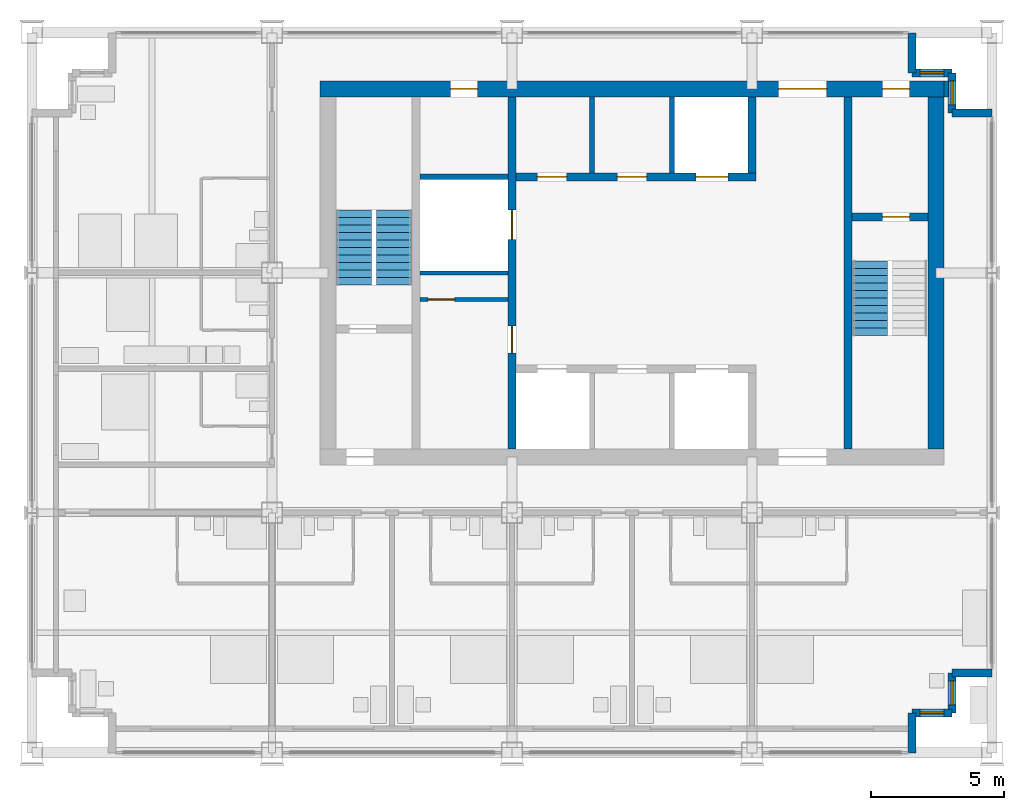
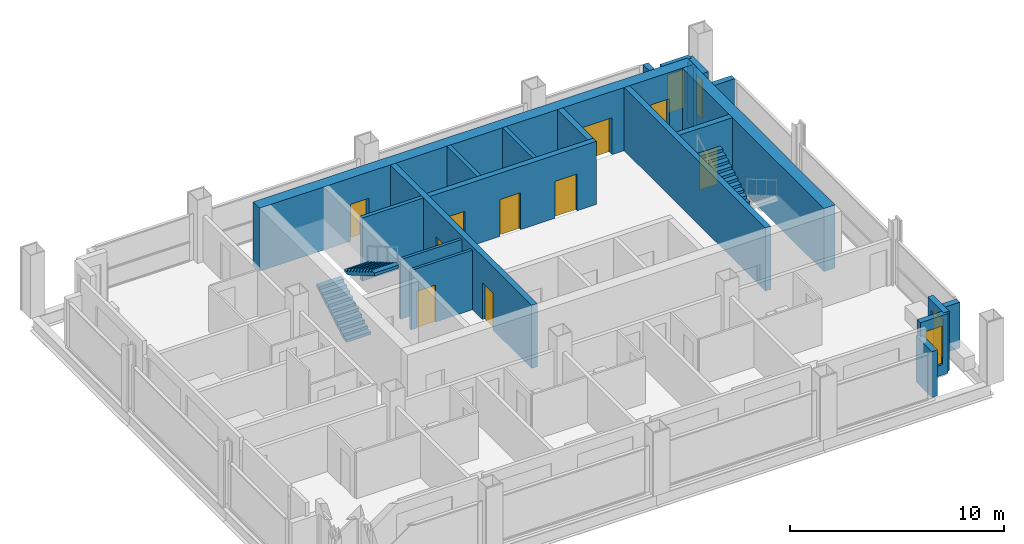
# One storey, part 8 of 12: 21 walls, 10 doors, 4 windows, 3 stair flights, 14 openings, 2 elements without a shape of their own.
"""IFC4 building model written with IfcOpenShell, lengths in metres."""

from ifc_helpers import new_model, si_unit, direction, frame, frame_2d, origin, place, context, subcontext, project, spatial, polyline, rectangle, outline, extrude, material, layer, layer_set, type_object, element, fill, aggregate, save


model = new_model("IFC4")

# Units and contexts
model_context = context("Model", 3, precision=1e-05, world=origin(), true_north=direction((0.0, 1.0)))
body_context = subcontext(model_context, "Body", "Model", "MODEL_VIEW")
ifc_project = project(units=[si_unit("LENGTHUNIT", "METRE"), si_unit("AREAUNIT", "SQUARE_METRE"), si_unit("VOLUMEUNIT", "CUBIC_METRE"), si_unit("PLANEANGLEUNIT", "RADIAN"), si_unit("MASSUNIT", "GRAM", prefix="KILO")], contexts=[model_context])

# Site, building, storey
site_placement = place(None, origin())
site = spatial("IfcSite", under=ifc_project, at=site_placement, CompositionType="ELEMENT")
building_placement = place(site_placement, origin())
building = spatial("IfcBuilding", under=site, at=building_placement, Name="Loomwork Tower", CompositionType="ELEMENT")
storey_placement = place(building_placement, frame((0.0, 0.0, 259.0)))
storey = spatial("IfcBuildingStorey", under=building, at=storey_placement, Name="L71", CompositionType="ELEMENT", Elevation=259.0)

# Wall, openings, doors
ifc_material_1 = material(Name="Concrete 14000 psi (97 MPa)", Category="concrete")
ifc_layer_1 = layer(ifc_material_1, 0.300048828125)
ifc_layer_set_1 = layer_set([ifc_layer_1], Name="Core shear wall 300")
wall_type_1 = type_object("IfcWallType", Name="Core shear wall 300", PredefinedType="SHEAR", material=ifc_layer_set_1)
wall_1_placement = place(storey_placement, frame((18.0, 11.39990234375, 0.0), z_axis=(0.0, 0.0, 1.0), x_axis=(0.0, 1.0, 0.0)))
wall_1 = element("IfcWall", 1, at=wall_1_placement, inside=storey, type_object=wall_type_1, Name="Lobby west wall L71", PredefinedType="SHEAR", context=body_context, shape_type="SweptSolid", body=[
    extrude(rectangle(XDim=13.2001953125, YDim=0.300048828125, at=frame_2d((6.60009765625, 0.0))), origin(), (0.0, 0.0, 1.0), 3.60009765625),
])
opening_1_placement = place(wall_1_placement, frame((3.60009765625, 0.0, 0.0)))
opening_1 = element("IfcOpeningElement", 2, at=opening_1_placement, cuts=wall_1, Name="Opening D5", PredefinedType="OPENING", context=body_context, shape_type="SweptSolid", body=[
    extrude(rectangle(XDim=1.0, YDim=2.10009765625, at=frame_2d((0.5, 1.050048828125))), frame((0.0, 0.159912109375, 0.0), z_axis=(0.0, -1.0, 0.0), x_axis=(1.0, 0.0, 0.0)), (0.0, 0.0, 1.0), 0.320068359375),
])
opening_2_placement = place(wall_1_placement, frame((7.85009765625, 0.0, 0.0)))
opening_2 = element("IfcOpeningElement", 3, at=opening_2_placement, cuts=wall_1, Name="Opening LD1", PredefinedType="OPENING", context=body_context, shape_type="SweptSolid", body=[
    extrude(rectangle(XDim=1.10009765625, YDim=2.10009765625, at=frame_2d((0.550048828125, 1.050048828125))), frame((0.0, 0.159912109375, 0.0), z_axis=(0.0, -1.0, 0.0), x_axis=(1.0, 0.0, 0.0)), (0.0, 0.0, 1.0), 0.320068359375),
])
ifc_material_2 = material(Name="Hollow metal door and frame")
door_type_1 = type_object("IfcDoorType", Name="Lift landing door 1100", OperationType="SLIDING_TO_LEFT", PredefinedType="DOOR", material=ifc_material_2)
door_1_placement = place(opening_2_placement, origin())
door_1 = element("IfcDoor", 4, at=door_1_placement, inside=storey, type_object=door_type_1, Name="Lift landing door LC2", OperationType="SLIDING_TO_LEFT", OverallHeight=2.10009765625, OverallWidth=1.10009765625, PredefinedType="DOOR", context=body_context, shape_type="SweptSolid", body=[
    extrude(rectangle(XDim=1.10009765625, YDim=2.10009765625, at=frame_2d((0.550048828125, 1.050048828125))), frame((0.0, 0.02490234375, 0.0), z_axis=(0.0, -1.0, 0.0), x_axis=(1.0, 0.0, 0.0)), (0.0, 0.0, 1.0), 0.050048828125),
])
fill(opening_2, door_1)
ifc_material_3 = material(Name="Hollow metal door and frame")
door_type_2 = type_object("IfcDoorType", Name="Service door 1000", OperationType="SINGLE_SWING_LEFT", PredefinedType="DOOR", material=ifc_material_3)
door_2_placement = place(opening_1_placement, origin())
door_2 = element("IfcDoor", 5, at=door_2_placement, inside=storey, type_object=door_type_2, Name="Back-of-house door south", OperationType="SINGLE_SWING_LEFT", OverallHeight=2.10009765625, OverallWidth=1.0, PredefinedType="DOOR", context=body_context, shape_type="SweptSolid", body=[
    extrude(rectangle(XDim=1.0, YDim=2.10009765625, at=frame_2d((0.5, 1.050048828125))), frame((0.0, 0.02490234375, 0.0), z_axis=(0.0, -1.0, 0.0), x_axis=(1.0, 0.0, 0.0)), (0.0, 0.0, 1.0), 0.050048828125),
])
fill(opening_1, door_2)

wall_2_placement = place(storey_placement, frame((18.14990234375, 21.60009765625, 0.0), z_axis=(0.0, 0.0, 1.0), x_axis=(1.0, 0.0, 0.0)))
wall_2 = element("IfcWall", 6, at=wall_2_placement, inside=storey, type_object=wall_type_1, Name="Lift front wall north L71", PredefinedType="SHEAR", context=body_context, shape_type="SweptSolid", body=[
    extrude(rectangle(XDim=9.0, YDim=0.300048828125, at=frame_2d((4.5, 0.0))), origin(), (0.0, 0.0, 1.0), 3.60009765625),
])
opening_3_placement = place(wall_2_placement, frame((6.75, 0.0, 0.0)))
opening_3 = element("IfcOpeningElement", 7, at=opening_3_placement, cuts=wall_2, Name="Opening LD2", PredefinedType="OPENING", context=body_context, shape_type="SweptSolid", body=[
    extrude(rectangle(XDim=1.199951171875, YDim=2.10009765625, at=frame_2d((0.60009765625, 1.050048828125))), frame((0.0, 0.159912109375, 0.0), z_axis=(0.0, -1.0, 0.0), x_axis=(1.0, 0.0, 0.0)), (0.0, 0.0, 1.0), 0.320068359375),
])
opening_4_placement = place(wall_2_placement, frame((0.800048828125, 0.0, 0.0)))
opening_4 = element("IfcOpeningElement", 8, at=opening_4_placement, cuts=wall_2, Name="Opening D17", PredefinedType="OPENING", context=body_context, shape_type="SweptSolid", body=[
    extrude(rectangle(XDim=1.10009765625, YDim=2.10009765625, at=frame_2d((0.550048828125, 1.050048828125))), frame((0.0, 0.159912109375, 0.0), z_axis=(0.0, -1.0, 0.0), x_axis=(1.0, 0.0, 0.0)), (0.0, 0.0, 1.0), 0.320068359375),
])
opening_5_placement = place(wall_2_placement, frame((3.800048828125, 0.0, 0.0)))
opening_5 = element("IfcOpeningElement", 9, at=opening_5_placement, cuts=wall_2, Name="Opening D17", PredefinedType="OPENING", context=body_context, shape_type="SweptSolid", body=[
    extrude(rectangle(XDim=1.10009765625, YDim=2.10009765625, at=frame_2d((0.550048828125, 1.050048828125))), frame((0.0, 0.159912109375, 0.0), z_axis=(0.0, -1.0, 0.0), x_axis=(1.0, 0.0, 0.0)), (0.0, 0.0, 1.0), 0.320068359375),
])
ifc_material_4 = material(Name="Hollow metal door and frame")
door_type_3 = type_object("IfcDoorType", Name="Lift landing door 1200", OperationType="SLIDING_TO_LEFT", PredefinedType="DOOR", material=ifc_material_4)
door_3_placement = place(opening_3_placement, origin())
door_3 = element("IfcDoor", 10, at=door_3_placement, inside=storey, type_object=door_type_3, Name="Lift landing door LF2", OperationType="SLIDING_TO_LEFT", OverallHeight=2.10009765625, OverallWidth=1.199951171875, PredefinedType="DOOR", context=body_context, shape_type="SweptSolid", body=[
    extrude(rectangle(XDim=1.199951171875, YDim=2.10009765625, at=frame_2d((0.60009765625, 1.050048828125))), frame((0.0, 0.02490234375, 0.0), z_axis=(0.0, -1.0, 0.0), x_axis=(1.0, 0.0, 0.0)), (0.0, 0.0, 1.0), 0.050048828125),
])
fill(opening_3, door_3)
ifc_material_5 = material(Name="Hollow metal door and frame")
door_type_4 = type_object("IfcDoorType", Name="Service room door 1100", OperationType="SINGLE_SWING_LEFT", PredefinedType="DOOR", material=ifc_material_5)
door_4_placement = place(opening_4_placement, origin())
door_4 = element("IfcDoor", 11, at=door_4_placement, inside=storey, type_object=door_type_4, Name="Guest pantry, ice and vending door L71", OperationType="SINGLE_SWING_LEFT", OverallHeight=2.10009765625, OverallWidth=1.10009765625, PredefinedType="DOOR", context=body_context, shape_type="SweptSolid", body=[
    extrude(rectangle(XDim=1.10009765625, YDim=2.10009765625, at=frame_2d((0.550048828125, 1.050048828125))), frame((0.0, 0.02490234375, 0.0), z_axis=(0.0, -1.0, 0.0), x_axis=(1.0, 0.0, 0.0)), (0.0, 0.0, 1.0), 0.050048828125),
])
fill(opening_4, door_4)
door_5_placement = place(opening_5_placement, origin())
door_5 = element("IfcDoor", 12, at=door_5_placement, inside=storey, type_object=door_type_4, Name="Storage room door L71", OperationType="SINGLE_SWING_LEFT", OverallHeight=2.10009765625, OverallWidth=1.10009765625, PredefinedType="DOOR", context=body_context, shape_type="SweptSolid", body=[
    extrude(rectangle(XDim=1.10009765625, YDim=2.10009765625, at=frame_2d((0.550048828125, 1.050048828125))), frame((0.0, 0.02490234375, 0.0), z_axis=(0.0, -1.0, 0.0), x_axis=(1.0, 0.0, 0.0)), (0.0, 0.0, 1.0), 0.050048828125),
])
fill(opening_5, door_5)

# Walls
wall_3_placement = place(storey_placement, frame((27.0, 21.75, 0.0), z_axis=(0.0, 0.0, 1.0), x_axis=(0.0, 1.0, 0.0)))
element("IfcWall", 13, at=wall_3_placement, inside=storey, type_object=wall_type_1, Name="Lift shaft end wall north L71", PredefinedType="SHEAR", context=body_context, shape_type="SweptSolid", body=[
    extrude(rectangle(XDim=2.85009765625, YDim=0.300048828125, at=frame_2d((1.425048828125, 0.0))), origin(), (0.0, 0.0, 1.0), 3.60009765625),
])
wall_4_placement = place(storey_placement, frame((30.60009765625, 11.39990234375, 0.0), z_axis=(0.0, 0.0, 1.0), x_axis=(0.0, 1.0, 0.0)))
element("IfcWall", 14, at=wall_4_placement, inside=storey, type_object=wall_type_1, Name="Stair B west wall L71", PredefinedType="SHEAR", context=body_context, shape_type="SweptSolid", body=[
    extrude(rectangle(XDim=13.2001953125, YDim=0.300048828125, at=frame_2d((6.60009765625, 0.0))), origin(), (0.0, 0.0, 1.0), 3.60009765625),
])

# Wall, opening, door
wall_5_placement = place(storey_placement, frame((30.75, 20.10009765625, 0.0), z_axis=(0.0, 0.0, 1.0), x_axis=(1.0, 0.0, 0.0)))
wall_5 = element("IfcWall", 15, at=wall_5_placement, inside=storey, type_object=wall_type_1, Name="Stair B north wall L71", PredefinedType="SHEAR", context=body_context, shape_type="SweptSolid", body=[
    extrude(rectangle(XDim=2.85009765625, YDim=0.300048828125, at=frame_2d((1.425048828125, 0.0))), origin(), (0.0, 0.0, 1.0), 3.60009765625),
])
opening_6_placement = place(wall_5_placement, frame((1.14990234375, 0.0, 0.0)))
opening_6 = element("IfcOpeningElement", 16, at=opening_6_placement, cuts=wall_5, Name="Opening D4", PredefinedType="OPENING", context=body_context, shape_type="SweptSolid", body=[
    extrude(rectangle(XDim=1.0, YDim=2.10009765625, at=frame_2d((0.5, 1.050048828125))), frame((0.0, 0.159912109375, 0.0), z_axis=(0.0, -1.0, 0.0), x_axis=(1.0, 0.0, 0.0)), (0.0, 0.0, 1.0), 0.320068359375),
])
ifc_material_6 = material(Name="Hollow metal door and frame")
door_type_5 = type_object("IfcDoorType", Name="Stair door 1000", OperationType="SINGLE_SWING_RIGHT", PredefinedType="DOOR", material=ifc_material_6)
door_6_placement = place(opening_6_placement, frame((1.0, 0.0, 0.0), z_axis=(0.0, 0.0, 1.0), x_axis=(-1.0, 0.0, 0.0)))
door_6 = element("IfcDoor", 17, at=door_6_placement, inside=storey, type_object=door_type_5, Name="Stair B door", OperationType="SINGLE_SWING_LEFT", OverallHeight=2.10009765625, OverallWidth=1.0, PredefinedType="DOOR", context=body_context, shape_type="SweptSolid", body=[
    extrude(rectangle(XDim=1.0, YDim=2.10009765625, at=frame_2d((0.5, 1.050048828125))), frame((0.0, 0.02490234375, 0.0), z_axis=(0.0, -1.0, 0.0), x_axis=(1.0, 0.0, 0.0)), (0.0, 0.0, 1.0), 0.050048828125),
])
fill(opening_6, door_6)

# Wall, openings, doors
ifc_material_7 = material(Name="Concrete 14000 psi (97 MPa)", Category="concrete")
ifc_layer_2 = layer(ifc_material_7, 0.60009765625)
ifc_layer_set_2 = layer_set([ifc_layer_2], Name="Core shear wall 600")
wall_type_2 = type_object("IfcWallType", Name="Core shear wall 600", PredefinedType="SHEAR", material=ifc_layer_set_2)
wall_6_placement = place(storey_placement, frame((10.800048828125, 24.89990234375, 0.0), z_axis=(0.0, 0.0, 1.0), x_axis=(1.0, 0.0, 0.0)))
wall_6 = element("IfcWall", 18, at=wall_6_placement, inside=storey, type_object=wall_type_2, Name="Core wall north L71", PredefinedType="SHEAR", context=body_context, shape_type="SweptSolid", body=[
    extrude(rectangle(XDim=23.39990234375, YDim=0.60009765625, at=frame_2d((11.699951171875, 0.0))), origin(), (0.0, 0.0, 1.0), 3.60009765625),
])
opening_7_placement = place(wall_6_placement, frame((17.199951171875, 0.0, 0.0)))
opening_7 = element("IfcOpeningElement", 19, at=opening_7_placement, cuts=wall_6, Name="Opening D6", PredefinedType="OPENING", context=body_context, shape_type="SweptSolid", body=[
    extrude(rectangle(XDim=1.800048828125, YDim=2.10009765625, at=frame_2d((0.89990234375, 1.050048828125))), frame((0.0, 0.31005859375, 0.0), z_axis=(0.0, -1.0, 0.0), x_axis=(1.0, 0.0, 0.0)), (0.0, 0.0, 1.0), 0.6201171875),
])
opening_8_placement = place(wall_6_placement, frame((21.10009765625, 0.0, 0.0)))
opening_8 = element("IfcOpeningElement", 20, at=opening_8_placement, cuts=wall_6, Name="Opening D4", PredefinedType="OPENING", context=body_context, shape_type="SweptSolid", body=[
    extrude(rectangle(XDim=1.0, YDim=2.10009765625, at=frame_2d((0.5, 1.050048828125))), frame((0.0, 0.31005859375, 0.0), z_axis=(0.0, -1.0, 0.0), x_axis=(1.0, 0.0, 0.0)), (0.0, 0.0, 1.0), 0.6201171875),
])
opening_9_placement = place(wall_6_placement, frame((4.89990234375, 0.0, 0.0)))
opening_9 = element("IfcOpeningElement", 21, at=opening_9_placement, cuts=wall_6, Name="Opening D5", PredefinedType="OPENING", context=body_context, shape_type="SweptSolid", body=[
    extrude(rectangle(XDim=1.0, YDim=2.10009765625, at=frame_2d((0.5, 1.050048828125))), frame((0.0, 0.31005859375, 0.0), z_axis=(0.0, -1.0, 0.0), x_axis=(1.0, 0.0, 0.0)), (0.0, 0.0, 1.0), 0.6201171875),
])
ifc_material_8 = material(Name="Hollow metal door and frame")
door_type_6 = type_object("IfcDoorType", Name="Lobby passage double door 1800", OperationType="DOUBLE_DOOR_SINGLE_SWING", PredefinedType="DOOR", material=ifc_material_8)
door_7_placement = place(opening_7_placement, frame((1.800048828125, 0.0, 0.0), z_axis=(0.0, 0.0, 1.0), x_axis=(-1.0, 0.0, 0.0)))
door_7 = element("IfcDoor", 22, at=door_7_placement, inside=storey, type_object=door_type_6, Name="Lobby passage door north", OperationType="DOUBLE_DOOR_SINGLE_SWING", OverallHeight=2.10009765625, OverallWidth=1.800048828125, PredefinedType="DOOR", context=body_context, shape_type="SweptSolid", body=[
    extrude(rectangle(XDim=1.800048828125, YDim=2.10009765625, at=frame_2d((0.89990234375, 1.050048828125))), frame((0.0, 0.02490234375, 0.0), z_axis=(0.0, -1.0, 0.0), x_axis=(1.0, 0.0, 0.0)), (0.0, 0.0, 1.0), 0.050048828125),
])
fill(opening_7, door_7)
door_8_placement = place(opening_9_placement, frame((1.0, 0.0, 0.0), z_axis=(0.0, 0.0, 1.0), x_axis=(-1.0, 0.0, 0.0)))
door_8 = element("IfcDoor", 23, at=door_8_placement, inside=storey, type_object=door_type_2, Name="Back-of-house door north", OperationType="SINGLE_SWING_LEFT", OverallHeight=2.10009765625, OverallWidth=1.0, PredefinedType="DOOR", context=body_context, shape_type="SweptSolid", body=[
    extrude(rectangle(XDim=1.0, YDim=2.10009765625, at=frame_2d((0.5, 1.050048828125))), frame((0.0, 0.02490234375, 0.0), z_axis=(0.0, -1.0, 0.0), x_axis=(1.0, 0.0, 0.0)), (0.0, 0.0, 1.0), 0.050048828125),
])
fill(opening_9, door_8)
door_9_placement = place(opening_8_placement, frame((1.0, 0.0, 0.0), z_axis=(0.0, 0.0, 1.0), x_axis=(-1.0, 0.0, 0.0)))
door_9 = element("IfcDoor", 24, at=door_9_placement, inside=storey, type_object=door_type_5, Name="Stair B vestibule door", OperationType="SINGLE_SWING_LEFT", OverallHeight=2.10009765625, OverallWidth=1.0, PredefinedType="DOOR", context=body_context, shape_type="SweptSolid", body=[
    extrude(rectangle(XDim=1.0, YDim=2.10009765625, at=frame_2d((0.5, 1.050048828125))), frame((0.0, 0.02490234375, 0.0), z_axis=(0.0, -1.0, 0.0), x_axis=(1.0, 0.0, 0.0)), (0.0, 0.0, 1.0), 0.050048828125),
])
fill(opening_8, door_9)

# Walls
wall_7_placement = place(storey_placement, frame((33.89990234375, 11.39990234375, 0.0), z_axis=(0.0, 0.0, 1.0), x_axis=(0.0, 1.0, 0.0)))
element("IfcWall", 25, at=wall_7_placement, inside=storey, type_object=wall_type_2, Name="Core wall east L71", PredefinedType="SHEAR", context=body_context, shape_type="SweptSolid", body=[
    extrude(rectangle(XDim=13.2001953125, YDim=0.60009765625, at=frame_2d((6.60009765625, 0.0))), origin(), (0.0, 0.0, 1.0), 3.60009765625),
])
ifc_material_9 = material(Name="Concrete 14000 psi (97 MPa)", Category="concrete")
ifc_layer_3 = layer(ifc_material_9, 0.199951171875)
ifc_layer_set_3 = layer_set([ifc_layer_3], Name="Lift shaft wall 200")
wall_type_3 = type_object("IfcWallType", Name="Lift shaft wall 200", PredefinedType="SHEAR", material=ifc_layer_set_3)
for number, where, z_axis, x_axis, name in (
    (26, (21.0, 21.75, 0.0), (0.0, 0.0, 1.0), (0.0, 1.0, 0.0), "Lift shaft separation wall north 1 L71"),
    (27, (24.0, 21.75, 0.0), (0.0, 0.0, 1.0), (0.0, 1.0, 0.0), "Lift shaft separation wall north 2 L71"),
):
    element("IfcWall", number, at=place(storey_placement, frame(where, z_axis=z_axis, x_axis=x_axis)), inside=storey, type_object=wall_type_3, Name=name, PredefinedType="SHEAR", context=body_context, shape_type="SweptSolid", body=[
        extrude(rectangle(XDim=2.85009765625, YDim=0.199951171875, at=frame_2d((1.425048828125, 0.0))), origin(), (0.0, 0.0, 1.0), 3.60009765625),
    ])
wall_8_placement = place(storey_placement, frame((14.550048828125, 21.60009765625, 0.0), z_axis=(0.0, 0.0, 1.0), x_axis=(1.0, 0.0, 0.0)))
element("IfcWall", 28, at=wall_8_placement, inside=storey, type_object=wall_type_3, Name="Lift shaft wall west north L71", PredefinedType="SHEAR", context=body_context, shape_type="SweptSolid", body=[
    extrude(rectangle(XDim=3.300048828125, YDim=0.199951171875, at=frame_2d((1.64990234375, 0.0))), origin(), (0.0, 0.0, 1.0), 3.60009765625),
])
ifc_material_10 = material(Name="Limestone on concrete masonry", Category="masonry")
ifc_layer_4 = layer(ifc_material_10, 0.300048828125)
ifc_layer_set_4 = layer_set([ifc_layer_4], Name="Limestone corner wall 300")
wall_type_4 = type_object("IfcWallType", Name="Limestone corner wall 300", PredefinedType="SOLIDWALL", material=ifc_layer_set_4)
wall_9_placement = place(storey_placement, frame((33.0, 0.0, 0.0), z_axis=(0.0, 0.0, 1.0), x_axis=(0.0, 1.0, 0.0)))
element("IfcWall", 29, at=wall_9_placement, inside=storey, type_object=wall_type_4, Name="Stone corner wall SE 1", PredefinedType="SOLIDWALL", context=body_context, shape_type="SweptSolid", body=[
    extrude(rectangle(XDim=1.5, YDim=0.300048828125, at=frame_2d((0.75, 0.0))), origin(), (0.0, 0.0, 1.0), 2.6201171875),
])

# Wall, opening, window
wall_10_placement = place(storey_placement, frame((33.0, 1.5, 0.0), z_axis=(0.0, 0.0, 1.0), x_axis=(1.0, 0.0, 0.0)))
wall_10 = element("IfcWall", 30, at=wall_10_placement, inside=storey, type_object=wall_type_4, Name="Stone corner wall SE 2", PredefinedType="SOLIDWALL", context=body_context, shape_type="SweptSolid", body=[
    extrude(rectangle(XDim=1.5, YDim=0.300048828125, at=frame_2d((0.75, 0.0))), origin(), (0.0, 0.0, 1.0), 3.39990234375),
])
opening_10_placement = place(wall_10_placement, frame((0.300048828125, 0.0, 0.60009765625)))
opening_10 = element("IfcOpeningElement", 31, at=opening_10_placement, cuts=wall_10, Name="Opening CH2", PredefinedType="OPENING", context=body_context, shape_type="SweptSolid", body=[
    extrude(rectangle(XDim=0.89990234375, YDim=2.199951171875, at=frame_2d((0.449951171875, 1.10009765625))), frame((0.0, 0.159912109375, 0.0), z_axis=(0.0, -1.0, 0.0), x_axis=(1.0, 0.0, 0.0)), (0.0, 0.0, 1.0), 0.320068359375),
])
ifc_material_11 = material(Name="Aluminium frame with clear insulated glass", Category="aluminium")
window_type = type_object("IfcWindowType", Name="Corner window 900", PartitioningType="SINGLE_PANEL", PredefinedType="WINDOW", material=ifc_material_11)
window_1_placement = place(opening_10_placement, origin())
window_1 = element("IfcWindow", 32, at=window_1_placement, inside=storey, type_object=window_type, Name="Corner window SE", OverallHeight=2.199951171875, OverallWidth=0.89990234375, PartitioningType="SINGLE_PANEL", PredefinedType="WINDOW", context=body_context, shape_type="SweptSolid", body=[
    extrude(rectangle(XDim=0.89990234375, YDim=2.199951171875, at=frame_2d((0.449951171875, 1.10009765625))), frame((0.0, 0.030029296875, 0.0), z_axis=(0.0, -1.0, 0.0), x_axis=(1.0, 0.0, 0.0)), (0.0, 0.0, 1.0), 0.06005859375),
])
fill(opening_10, window_1)

wall_11_placement = place(storey_placement, frame((34.5, 1.5, 0.0), z_axis=(0.0, 0.0, 1.0), x_axis=(0.0, 1.0, 0.0)))
wall_11 = element("IfcWall", 33, at=wall_11_placement, inside=storey, type_object=wall_type_4, Name="Stone corner wall SE 3", PredefinedType="SOLIDWALL", context=body_context, shape_type="SweptSolid", body=[
    extrude(rectangle(XDim=1.5, YDim=0.300048828125, at=frame_2d((0.75, 0.0))), origin(), (0.0, 0.0, 1.0), 3.39990234375),
])
opening_11_placement = place(wall_11_placement, frame((0.300048828125, 0.0, 0.60009765625)))
opening_11 = element("IfcOpeningElement", 34, at=opening_11_placement, cuts=wall_11, Name="Opening CH2", PredefinedType="OPENING", context=body_context, shape_type="SweptSolid", body=[
    extrude(rectangle(XDim=0.89990234375, YDim=2.199951171875, at=frame_2d((0.449951171875, 1.10009765625))), frame((0.0, 0.159912109375, 0.0), z_axis=(0.0, -1.0, 0.0), x_axis=(1.0, 0.0, 0.0)), (0.0, 0.0, 1.0), 0.320068359375),
])
window_2_placement = place(opening_11_placement, origin())
window_2 = element("IfcWindow", 35, at=window_2_placement, inside=storey, type_object=window_type, Name="Corner window SE", OverallHeight=2.199951171875, OverallWidth=0.89990234375, PartitioningType="SINGLE_PANEL", PredefinedType="WINDOW", context=body_context, shape_type="SweptSolid", body=[
    extrude(rectangle(XDim=0.89990234375, YDim=2.199951171875, at=frame_2d((0.449951171875, 1.10009765625))), frame((0.0, 0.030029296875, 0.0), z_axis=(0.0, -1.0, 0.0), x_axis=(1.0, 0.0, 0.0)), (0.0, 0.0, 1.0), 0.06005859375),
])
fill(opening_11, window_2)

# Walls
for number, where, z_axis, x_axis, name in (
    (36, (34.5, 3.0, 0.0), (0.0, 0.0, 1.0), (1.0, 0.0, 0.0), "Stone corner wall SE 4"),
    (37, (36.0, 24.0, 0.0), (0.0, 0.0, 1.0), (-1.0, 0.0, 0.0), "Stone corner wall NE 1"),
):
    element("IfcWall", number, at=place(storey_placement, frame(where, z_axis=z_axis, x_axis=x_axis)), inside=storey, type_object=wall_type_4, Name=name, PredefinedType="SOLIDWALL", context=body_context, shape_type="SweptSolid", body=[
        extrude(rectangle(XDim=1.5, YDim=0.300048828125, at=frame_2d((0.75, 0.0))), origin(), (0.0, 0.0, 1.0), 2.6201171875),
    ])

# Wall, opening, window
wall_12_placement = place(storey_placement, frame((34.5, 24.0, 0.0), z_axis=(0.0, 0.0, 1.0), x_axis=(0.0, 1.0, 0.0)))
wall_12 = element("IfcWall", 38, at=wall_12_placement, inside=storey, type_object=wall_type_4, Name="Stone corner wall NE 2", PredefinedType="SOLIDWALL", context=body_context, shape_type="SweptSolid", body=[
    extrude(rectangle(XDim=1.5, YDim=0.300048828125, at=frame_2d((0.75, 0.0))), origin(), (0.0, 0.0, 1.0), 3.39990234375),
])
opening_12_placement = place(wall_12_placement, frame((0.300048828125, 0.0, 0.60009765625)))
opening_12 = element("IfcOpeningElement", 39, at=opening_12_placement, cuts=wall_12, Name="Opening CH2", PredefinedType="OPENING", context=body_context, shape_type="SweptSolid", body=[
    extrude(rectangle(XDim=0.89990234375, YDim=2.199951171875, at=frame_2d((0.449951171875, 1.10009765625))), frame((0.0, 0.159912109375, 0.0), z_axis=(0.0, -1.0, 0.0), x_axis=(1.0, 0.0, 0.0)), (0.0, 0.0, 1.0), 0.320068359375),
])
window_3_placement = place(opening_12_placement, origin())
window_3 = element("IfcWindow", 40, at=window_3_placement, inside=storey, type_object=window_type, Name="Corner window NE", OverallHeight=2.199951171875, OverallWidth=0.89990234375, PartitioningType="SINGLE_PANEL", PredefinedType="WINDOW", context=body_context, shape_type="SweptSolid", body=[
    extrude(rectangle(XDim=0.89990234375, YDim=2.199951171875, at=frame_2d((0.449951171875, 1.10009765625))), frame((0.0, 0.030029296875, 0.0), z_axis=(0.0, -1.0, 0.0), x_axis=(1.0, 0.0, 0.0)), (0.0, 0.0, 1.0), 0.06005859375),
])
fill(opening_12, window_3)

wall_13_placement = place(storey_placement, frame((34.5, 25.5, 0.0), z_axis=(0.0, 0.0, 1.0), x_axis=(-1.0, 0.0, 0.0)))
wall_13 = element("IfcWall", 41, at=wall_13_placement, inside=storey, type_object=wall_type_4, Name="Stone corner wall NE 3", PredefinedType="SOLIDWALL", context=body_context, shape_type="SweptSolid", body=[
    extrude(rectangle(XDim=1.5, YDim=0.300048828125, at=frame_2d((0.75, 0.0))), origin(), (0.0, 0.0, 1.0), 3.39990234375),
])
opening_13_placement = place(wall_13_placement, frame((0.300048828125, 0.0, 0.60009765625)))
opening_13 = element("IfcOpeningElement", 42, at=opening_13_placement, cuts=wall_13, Name="Opening CH2", PredefinedType="OPENING", context=body_context, shape_type="SweptSolid", body=[
    extrude(rectangle(XDim=0.89990234375, YDim=2.199951171875, at=frame_2d((0.449951171875, 1.10009765625))), frame((0.0, 0.159912109375, 0.0), z_axis=(0.0, -1.0, 0.0), x_axis=(1.0, 0.0, 0.0)), (0.0, 0.0, 1.0), 0.320068359375),
])
window_4_placement = place(opening_13_placement, origin())
window_4 = element("IfcWindow", 43, at=window_4_placement, inside=storey, type_object=window_type, Name="Corner window NE", OverallHeight=2.199951171875, OverallWidth=0.89990234375, PartitioningType="SINGLE_PANEL", PredefinedType="WINDOW", context=body_context, shape_type="SweptSolid", body=[
    extrude(rectangle(XDim=0.89990234375, YDim=2.199951171875, at=frame_2d((0.449951171875, 1.10009765625))), frame((0.0, 0.030029296875, 0.0), z_axis=(0.0, -1.0, 0.0), x_axis=(1.0, 0.0, 0.0)), (0.0, 0.0, 1.0), 0.06005859375),
])
fill(opening_13, window_4)

# Walls
wall_14_placement = place(storey_placement, frame((33.0, 25.5, 0.0), z_axis=(0.0, 0.0, 1.0), x_axis=(0.0, 1.0, 0.0)))
element("IfcWall", 44, at=wall_14_placement, inside=storey, type_object=wall_type_4, Name="Stone corner wall NE 4", PredefinedType="SOLIDWALL", context=body_context, shape_type="SweptSolid", body=[
    extrude(rectangle(XDim=1.5, YDim=0.300048828125, at=frame_2d((0.75, 0.0))), origin(), (0.0, 0.0, 1.0), 2.6201171875),
])
ifc_material_12 = material(Name="Gypsum board on steel studs", Category="steel")
ifc_layer_5 = layer(ifc_material_12, 0.14990234375)
ifc_layer_set_5 = layer_set([ifc_layer_5], Name="Partition 150 two-hour")
wall_type_5 = type_object("IfcWallType", Name="Partition 150 two-hour", PredefinedType="PARTITIONING", material=ifc_layer_set_5)
wall_15_placement = place(storey_placement, frame((14.550048828125, 18.0, 0.0), z_axis=(0.0, 0.0, 1.0), x_axis=(1.0, 0.0, 0.0)))
element("IfcWall", 45, at=wall_15_placement, inside=storey, type_object=wall_type_5, Name="Back-of-house dividing wall L71", PredefinedType="PARTITIONING", context=body_context, shape_type="SweptSolid", body=[
    extrude(rectangle(XDim=3.300048828125, YDim=0.14990234375, at=frame_2d((1.64990234375, 0.0))), origin(), (0.0, 0.0, 1.0), 3.39990234375),
])
ifc_material_13 = material(Name="Gypsum board on steel studs, one-hour", Category="steel")
ifc_layer_6 = layer(ifc_material_13, 0.14990234375)
ifc_layer_set_6 = layer_set([ifc_layer_6], Name="Service partition 150")
wall_type_6 = type_object("IfcWallType", Name="Service partition 150", PredefinedType="PARTITIONING", material=ifc_layer_set_6)
wall_16_placement = place(storey_placement, frame((34.199951171875, 24.89990234375, 0.0), z_axis=(0.0, 0.0, 1.0), x_axis=(1.0, 0.0, 0.0)))
element("IfcWall", 46, at=wall_16_placement, inside=storey, type_object=wall_type_6, Name="Core wall infill L71", PredefinedType="PARTITIONING", context=body_context, shape_type="SweptSolid", body=[
    extrude(rectangle(XDim=0.16015625, YDim=0.60009765625, at=frame_2d((0.080078125, 0.0))), origin(), (0.0, 0.0, 1.0), 3.39990234375),
])

# Wall, opening, door
wall_17_placement = place(storey_placement, frame((14.550048828125, 17.0, 0.0), z_axis=(0.0, 0.0, 1.0), x_axis=(1.0, 0.0, 0.0)))
wall_17 = element("IfcWall", 47, at=wall_17_placement, inside=storey, type_object=wall_type_6, Name="Riser enclosure L71", PredefinedType="PARTITIONING", context=body_context, shape_type="SweptSolid", body=[
    extrude(rectangle(XDim=3.300048828125, YDim=0.14990234375, at=frame_2d((1.64990234375, 0.0))), origin(), (0.0, 0.0, 1.0), 3.39990234375),
])
opening_14_placement = place(wall_17_placement, frame((0.300048828125, 0.0, 0.0)))
opening_14 = element("IfcOpeningElement", 48, at=opening_14_placement, cuts=wall_17, Name="Opening D18", PredefinedType="OPENING", context=body_context, shape_type="SweptSolid", body=[
    extrude(rectangle(XDim=1.0, YDim=2.10009765625, at=frame_2d((0.5, 1.050048828125))), frame((0.0, 0.0849609375, 0.0), z_axis=(0.0, -1.0, 0.0), x_axis=(1.0, 0.0, 0.0)), (0.0, 0.0, 1.0), 0.169921875),
])
ifc_material_14 = material(Name="Hollow metal door and frame")
door_type_7 = type_object("IfcDoorType", Name="Ninety-minute service door 1000", OperationType="SINGLE_SWING_LEFT", PredefinedType="DOOR", material=ifc_material_14)
door_10_placement = place(opening_14_placement, frame((1.0, 0.0, 0.0), z_axis=(0.0, 0.0, 1.0), x_axis=(-1.0, 0.0, 0.0)))
door_10 = element("IfcDoor", 49, at=door_10_placement, inside=storey, type_object=door_type_7, Name="Riser access door", OperationType="SINGLE_SWING_RIGHT", OverallHeight=2.10009765625, OverallWidth=1.0, PredefinedType="DOOR", context=body_context, shape_type="SweptSolid", body=[
    extrude(rectangle(XDim=1.0, YDim=2.10009765625, at=frame_2d((0.5, 1.050048828125))), frame((0.0, 0.02490234375, 0.0), z_axis=(0.0, -1.0, 0.0), x_axis=(1.0, 0.0, 0.0)), (0.0, 0.0, 1.0), 0.050048828125),
])
fill(opening_14, door_10)

# Stair, stair flights
ifc_material_15 = material(Name="Concrete 5000 psi (34 MPa) precast stair", Category="concrete")
stair_type_1 = type_object("IfcStairType", Name="Stair ST-A 22 risers 2850 wide", PredefinedType="HALF_TURN_STAIR", material=ifc_material_15)
stair_1_placement = place(storey_placement, origin())
stair_1 = element("IfcStair", 50, at=stair_1_placement, inside=storey, type_object=stair_type_1, Name="Stair A L71", PredefinedType="HALF_TURN_STAIR")
ifc_material_16 = material(Name="Concrete 5000 psi (34 MPa) precast stair", Category="concrete")
stair_flight_type_1 = type_object("IfcStairFlightType", Name="Stair flight ST-A 11 risers 1300 wide", PredefinedType="STRAIGHT", material=ifc_material_16)
stair_flight_1_placement = place(storey_placement, frame((12.074951171875, 17.550048828125, 0.0), z_axis=(0.0, 0.0, 1.0), x_axis=(0.0, 1.0, 0.0)))
stair_flight_1 = element("IfcStairFlight", 51, at=stair_flight_1_placement, type_object=stair_flight_type_1, Name="ST-A flight 1", NumberOfRisers=11, NumberOfTreads=10, PredefinedType="STRAIGHT", RiserHeight=0.163636364, TreadLength=0.28, context=body_context, shape_type="SweptSolid", body=[
    extrude(outline(polyline([(0.0, 0.0), (0.0, 0.16357421875), (0.280029296875, 0.16357421875), (0.280029296875, 0.327392578125), (0.56005859375, 0.327392578125), (0.56005859375, 0.490966796875), (0.840087890625, 0.490966796875), (0.840087890625, 0.654541015625), (1.1201171875, 0.654541015625), (1.1201171875, 0.818115234375), (1.39990234375, 0.818115234375), (1.39990234375, 0.98193359375), (1.679931640625, 0.98193359375), (1.679931640625, 1.1455078125), (1.9599609375, 1.1455078125), (1.9599609375, 1.30908203125), (2.239990234375, 1.30908203125), (2.239990234375, 1.47265625), (2.52001953125, 1.47265625), (2.52001953125, 1.636474609375), (2.800048828125, 1.636474609375), (2.800048828125, 1.800048828125), (2.800048828125, 1.462646484375), (0.297119140625, 0.0), (0.0, 0.0)])), frame((0.0, 0.64990234375, 0.0), z_axis=(0.0, -1.0, 0.0), x_axis=(1.0, 0.0, 0.0)), (0.0, 0.0, 1.0), 1.300048828125),
])
stair_flight_2_placement = place(storey_placement, frame((13.574951171875, 20.35009765625, 1.800048828125), z_axis=(0.0, 0.0, 1.0), x_axis=(0.0, -1.0, 0.0)))
stair_flight_2 = element("IfcStairFlight", 52, at=stair_flight_2_placement, type_object=stair_flight_type_1, Name="ST-A flight 2", NumberOfRisers=11, NumberOfTreads=10, PredefinedType="STRAIGHT", RiserHeight=0.163636364, TreadLength=0.28, context=body_context, shape_type="SweptSolid", body=[
    extrude(outline(polyline([(0.0, 0.0), (0.0, 0.16357421875), (0.280029296875, 0.16357421875), (0.280029296875, 0.327392578125), (0.56005859375, 0.327392578125), (0.56005859375, 0.490966796875), (0.840087890625, 0.490966796875), (0.840087890625, 0.654541015625), (1.1201171875, 0.654541015625), (1.1201171875, 0.818115234375), (1.39990234375, 0.818115234375), (1.39990234375, 0.98193359375), (1.679931640625, 0.98193359375), (1.679931640625, 1.1455078125), (1.9599609375, 1.1455078125), (1.9599609375, 1.30908203125), (2.239990234375, 1.30908203125), (2.239990234375, 1.47265625), (2.52001953125, 1.47265625), (2.52001953125, 1.636474609375), (2.800048828125, 1.636474609375), (2.800048828125, 1.800048828125), (2.800048828125, 1.462646484375), (0.297119140625, 0.0), (0.0, 0.0)])), frame((0.0, 0.64990234375, 0.0), z_axis=(0.0, -1.0, 0.0), x_axis=(1.0, 0.0, 0.0)), (0.0, 0.0, 1.0), 1.300048828125),
])
aggregate(stair_1, [stair_flight_1, stair_flight_2])

# Stair, stair flight
ifc_material_17 = material(Name="Concrete 5000 psi (34 MPa) precast stair", Category="concrete")
stair_type_2 = type_object("IfcStairType", Name="Stair ST-B 22 risers 2850 wide", PredefinedType="HALF_TURN_STAIR", material=ifc_material_17)
stair_2_placement = place(storey_placement, origin())
stair_2 = element("IfcStair", 53, at=stair_2_placement, inside=storey, type_object=stair_type_2, Name="Stair B L71", PredefinedType="HALF_TURN_STAIR")
ifc_material_18 = material(Name="Concrete 5000 psi (34 MPa) precast stair", Category="concrete")
stair_flight_type_2 = type_object("IfcStairFlightType", Name="Stair flight ST-B 11 risers 1300 wide", PredefinedType="STRAIGHT", material=ifc_material_18)
stair_flight_3_placement = place(storey_placement, frame((31.425048828125, 15.64990234375, 1.800048828125), z_axis=(0.0, 0.0, 1.0), x_axis=(0.0, 1.0, 0.0)))
stair_flight_3 = element("IfcStairFlight", 54, at=stair_flight_3_placement, type_object=stair_flight_type_2, Name="ST-B flight 2", NumberOfRisers=11, NumberOfTreads=10, PredefinedType="STRAIGHT", RiserHeight=0.163636364, TreadLength=0.28, context=body_context, shape_type="SweptSolid", body=[
    extrude(outline(polyline([(0.0, 0.0), (0.0, 0.16357421875), (0.280029296875, 0.16357421875), (0.280029296875, 0.327392578125), (0.56005859375, 0.327392578125), (0.56005859375, 0.490966796875), (0.840087890625, 0.490966796875), (0.840087890625, 0.654541015625), (1.1201171875, 0.654541015625), (1.1201171875, 0.818115234375), (1.39990234375, 0.818115234375), (1.39990234375, 0.98193359375), (1.679931640625, 0.98193359375), (1.679931640625, 1.1455078125), (1.9599609375, 1.1455078125), (1.9599609375, 1.30908203125), (2.239990234375, 1.30908203125), (2.239990234375, 1.47265625), (2.52001953125, 1.47265625), (2.52001953125, 1.636474609375), (2.800048828125, 1.636474609375), (2.800048828125, 1.800048828125), (2.800048828125, 1.462646484375), (0.297119140625, 0.0), (0.0, 0.0)])), frame((0.0, 0.64990234375, 0.0), z_axis=(0.0, -1.0, 0.0), x_axis=(1.0, 0.0, 0.0)), (0.0, 0.0, 1.0), 1.300048828125),
])
aggregate(stair_2, [stair_flight_3])

save(model, "model.ifc")
